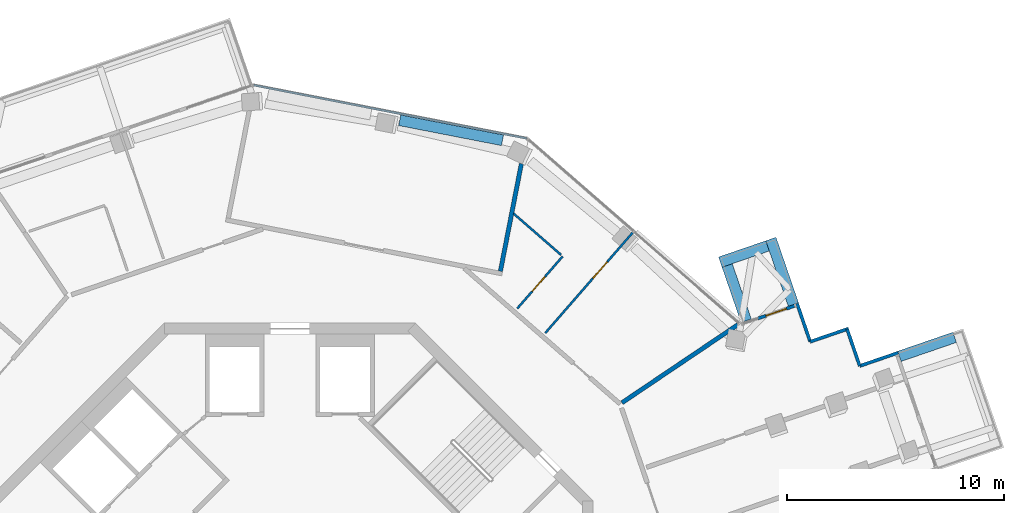
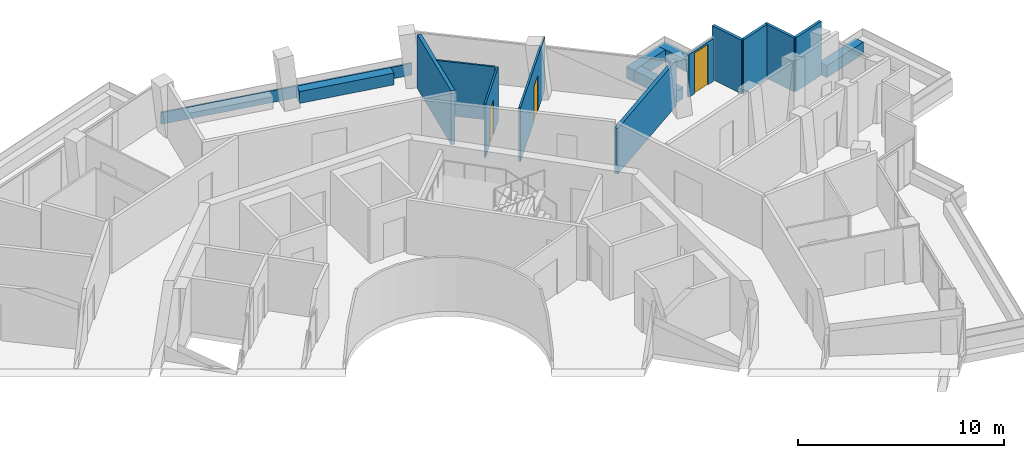
# One storey, part 19 of 22: 16 walls, 3 doors, 3 openings.
"""IFC4 building model written with IfcOpenShell, lengths in metres."""

from ifc_helpers import new_model, si_unit, direction, frame, frame_2d, origin, place, context, subcontext, project, spatial, rectangle, extrude, material, layer, layer_set, type_object, element, fill, save


model = new_model("IFC4")

# Units and contexts
model_context = context("Model", 3, precision=1e-05, world=origin(), true_north=direction((0.0, 1.0)))
body_context = subcontext(model_context, "Body", "Model", "MODEL_VIEW")
ifc_project = project(units=[si_unit("LENGTHUNIT", "METRE"), si_unit("AREAUNIT", "SQUARE_METRE"), si_unit("VOLUMEUNIT", "CUBIC_METRE"), si_unit("PLANEANGLEUNIT", "RADIAN"), si_unit("MASSUNIT", "GRAM", prefix="KILO")], contexts=[model_context])

# Site, building, storey
site_placement = place(None, origin())
site = spatial("IfcSite", under=ifc_project, at=site_placement, CompositionType="ELEMENT")
building_placement = place(site_placement, origin())
building = spatial("IfcBuilding", under=site, at=building_placement, Name="Verdalira Terraces Hotel", CompositionType="ELEMENT")
storey_placement = place(building_placement, frame((0.0, 0.0, 234.0)))
storey = spatial("IfcBuildingStorey", under=building, at=storey_placement, Name="L57", CompositionType="ELEMENT", Elevation=234.0)

# Walls
ifc_material_1 = material(Name="Concrete C40", Category="concrete")
ifc_layer_1 = layer(ifc_material_1, 0.5)
ifc_layer_set_1 = layer_set([ifc_layer_1], Name="Balcony planter trough with tree")
wall_type_1 = type_object("IfcWallType", Name="Balcony planter trough with tree", PredefinedType="SOLIDWALL", material=ifc_layer_set_1)
wall_1_placement = place(storey_placement, frame((30.693604, 13.34668, 0.0), z_axis=(0.0, 0.0, 1.0), x_axis=(-0.945739598, -0.324925551, 0.0)))
element("IfcWall", 1, at=wall_1_placement, inside=storey, type_object=wall_type_1, Name="Balcony planter", PredefinedType="SOLIDWALL", context=body_context, shape_type="SweptSolid", body=[
    extrude(rectangle(XDim=2.698975, YDim=0.5, at=frame_2d((1.349609, 0.0))), origin(), (0.0, 0.0, 1.0), 0.699951),
])
wall_2_placement = place(storey_placement, frame((23.247803, 14.860596, 0.0), z_axis=(0.0, 0.0, 1.0), x_axis=(-0.324892063, 0.945751102, 0.0)))
element("IfcWall", 2, at=wall_2_placement, inside=storey, type_object=wall_type_1, Name="Balcony planter", PredefinedType="SOLIDWALL", context=body_context, shape_type="SweptSolid", body=[
    extrude(rectangle(XDim=3.198975, YDim=0.5, at=frame_2d((1.599609, 0.0))), origin(), (0.0, 0.0, 1.0), 0.699951),
])
wall_3_placement = place(storey_placement, frame((22.053223, 17.568359, 0.0), z_axis=(0.0, 0.0, 1.0), x_axis=(-0.945764873, -0.324851975, 0.0)))
element("IfcWall", 3, at=wall_3_placement, inside=storey, type_object=wall_type_1, Name="Balcony planter", PredefinedType="SOLIDWALL", context=body_context, shape_type="SweptSolid", body=[
    extrude(rectangle(XDim=2.306396, YDim=0.5, at=frame_2d((1.15332, 0.0))), origin(), (0.0, 0.0, 1.0), 0.699951),
])
wall_4_placement = place(storey_placement, frame((20.189453, 16.663818, 0.0), z_axis=(0.0, 0.0, 1.0), x_axis=(0.324925551, -0.945739598, 0.0)))
element("IfcWall", 4, at=wall_4_placement, inside=storey, type_object=wall_type_1, Name="Balcony planter", PredefinedType="SOLIDWALL", context=body_context, shape_type="SweptSolid", body=[
    extrude(rectangle(XDim=2.698975, YDim=0.5, at=frame_2d((1.349609, 0.0))), origin(), (0.0, 0.0, 1.0), 0.699951),
])
ifc_material_2 = material(Name="Moisture-resistant gypsum board partition")
ifc_layer_2 = layer(ifc_material_2, 0.10009765625)
ifc_layer_set_2 = layer_set([ifc_layer_2], Name="Bathroom partition 100 mm")
wall_type_2 = type_object("IfcWallType", Name="Bathroom partition 100 mm", PredefinedType="PARTITIONING", material=ifc_layer_set_2)
wall_5_placement = place(storey_placement, frame((12.520752, 17.152588, 0.0), z_axis=(0.0, 0.0, 1.0), x_axis=(-0.754257045, 0.656579249, 0.0)))
element("IfcWall", 5, at=wall_5_placement, inside=storey, type_object=wall_type_2, Name="Bathroom partition", PredefinedType="PARTITIONING", context=body_context, shape_type="SweptSolid", body=[
    extrude(rectangle(XDim=2.911865, YDim=0.100098, at=frame_2d((1.456055, 0.0))), origin(), (0.0, 0.0, 1.0), 3.189941),
])

# Wall, opening, door
wall_6_placement = place(storey_placement, frame((10.495117, 14.67334, 0.0), z_axis=(0.0, 0.0, 1.0), x_axis=(0.656590394, 0.754247343, 0.0)))
wall_6 = element("IfcWall", 6, at=wall_6_placement, inside=storey, type_object=wall_type_2, Name="Bathroom partition", PredefinedType="PARTITIONING", context=body_context, shape_type="SweptSolid", body=[
    extrude(rectangle(XDim=3.199951, YDim=0.100098, at=frame_2d((1.600098, 0.0))), origin(), (0.0, 0.0, 1.0), 3.189941),
])
opening_1_placement = place(wall_6_placement, frame((1.050049, 0.0, 0.0)))
opening_1 = element("IfcOpeningElement", 7, at=opening_1_placement, cuts=wall_6, Name="Opening L57-129", PredefinedType="OPENING", context=body_context, shape_type="SweptSolid", body=[
    extrude(rectangle(XDim=0.899902, YDim=2.100098, at=frame_2d((0.449951, 1.050049))), frame((0.0, 0.060059, 0.0), z_axis=(0.0, -1.0, 0.0), x_axis=(1.0, 0.0, 0.0)), (0.0, 0.0, 1.0), 0.120117),
])
ifc_material_3 = material(Name="Timber door", Category="wood")
door_type_1 = type_object("IfcDoorType", Name="Bathroom door 900 x 2100", OperationType="NOTDEFINED", PredefinedType="DOOR", material=ifc_material_3)
door_1_placement = place(opening_1_placement, origin())
door_1 = element("IfcDoor", 8, at=door_1_placement, inside=storey, type_object=door_type_1, Name="Bathroom door 5710", OperationType="SINGLE_SWING_RIGHT", OverallHeight=2.10009765625, OverallWidth=0.89990234375, PredefinedType="DOOR", context=body_context, shape_type="SweptSolid", body=[
    extrude(rectangle(XDim=0.899902, YDim=2.100098, at=frame_2d((0.449951, 1.050049))), frame((0.0, 0.024902, 0.0), z_axis=(0.0, -1.0, 0.0), x_axis=(1.0, 0.0, 0.0)), (0.0, 0.0, 1.0), 0.050049),
])
fill(opening_1, door_1)

wall_7_placement = place(storey_placement, frame((11.79126, 13.545166, 0.0), z_axis=(0.0, 0.0, 1.0), x_axis=(0.656588475, 0.754249014, 0.0)))
wall_7 = element("IfcWall", 9, at=wall_7_placement, inside=storey, type_object=wall_type_2, Name="Bathroom partition", PredefinedType="PARTITIONING", context=body_context, shape_type="SweptSolid", body=[
    extrude(rectangle(XDim=6.149658, YDim=0.100098, at=frame_2d((3.074707, 0.0))), origin(), (0.0, 0.0, 1.0), 3.189941),
])
opening_2_placement = place(wall_7_placement, frame((3.350098, 0.0, 0.0)))
opening_2 = element("IfcOpeningElement", 10, at=opening_2_placement, cuts=wall_7, Name="Opening L57-128", PredefinedType="OPENING", context=body_context, shape_type="SweptSolid", body=[
    extrude(rectangle(XDim=1.0, YDim=2.100098, at=frame_2d((0.5, 1.050049))), frame((0.0, 0.060059, 0.0), z_axis=(0.0, -1.0, 0.0), x_axis=(1.0, 0.0, 0.0)), (0.0, 0.0, 1.0), 0.120117),
])
ifc_material_4 = material(Name="Timber door", Category="wood")
door_type_2 = type_object("IfcDoorType", Name="Suite internal door 1000 x 2100", OperationType="NOTDEFINED", PredefinedType="DOOR", material=ifc_material_4)
door_2_placement = place(opening_2_placement, origin())
door_2 = element("IfcDoor", 11, at=door_2_placement, inside=storey, type_object=door_type_2, Name="Suite internal door 5710", OperationType="SINGLE_SWING_LEFT", OverallHeight=2.10009765625, OverallWidth=1.0, PredefinedType="DOOR", context=body_context, shape_type="SweptSolid", body=[
    extrude(rectangle(XDim=1.0, YDim=2.100098, at=frame_2d((0.5, 1.050049))), frame((0.0, 0.024902, 0.0), z_axis=(0.0, -1.0, 0.0), x_axis=(1.0, 0.0, 0.0)), (0.0, 0.0, 1.0), 0.050049),
])
fill(opening_2, door_2)

# Walls
ifc_material_5 = material(Name="Fire-rated gypsum board wall")
ifc_layer_3 = layer(ifc_material_5, 0.199951171875)
ifc_layer_set_3 = layer_set([ifc_layer_3], Name="Demising wall 200 mm to beam soffit")
wall_type_3 = type_object("IfcWallType", Name="Demising wall 200 mm to beam soffit", PredefinedType="SOLIDWALL", material=ifc_layer_set_3)
wall_8_placement = place(storey_placement, frame((15.334717, 10.327881, 0.0), z_axis=(0.0, 0.0, 1.0), x_axis=(0.829425163, 0.558617847, 0.0)))
element("IfcWall", 12, at=wall_8_placement, inside=storey, type_object=wall_type_3, Name="Demising wall", PredefinedType="SOLIDWALL", context=body_context, shape_type="SweptSolid", body=[
    extrude(rectangle(XDim=6.475586, YDim=0.199951, at=frame_2d((3.237793, 0.0))), origin(), (0.0, 0.0, 1.0), 2.689941),
])
ifc_material_6 = material(Name="Terracotta cladding", Category="masonry")
ifc_layer_4 = layer(ifc_material_6, 0.199951171875)
ifc_layer_set_4 = layer_set([ifc_layer_4], Name="Loggia back wall 200")
wall_type_4 = type_object("IfcWallType", Name="Loggia back wall 200", PredefinedType="SOLIDWALL", material=ifc_layer_set_4)
wall_9_placement = place(storey_placement, frame((10.688232, 21.360596, 0.0), z_axis=(0.0, 0.0, 1.0), x_axis=(-0.191496739, -0.98149325, 0.0)))
element("IfcWall", 13, at=wall_9_placement, inside=storey, type_object=wall_type_4, Name="Loggia side wall", PredefinedType="SOLIDWALL", context=body_context, shape_type="SweptSolid", body=[
    extrude(rectangle(XDim=5.053711, YDim=0.199951, at=frame_2d((2.526855, 0.0))), origin(), (0.0, 0.0, 1.0), 3.189941),
])
ifc_material_7 = material(Name="Concrete C40", Category="concrete")
ifc_layer_5 = layer(ifc_material_7, 0.5)
ifc_layer_set_5 = layer_set([ifc_layer_5], Name="Loggia planter trough with tree")
wall_type_5 = type_object("IfcWallType", Name="Loggia planter trough with tree", PredefinedType="SOLIDWALL", material=ifc_layer_set_5)
wall_10_placement = place(storey_placement, frame((9.816162, 22.443848, 0.0), z_axis=(0.0, 0.0, 1.0), x_axis=(-0.981490129, 0.191512731, 0.0)))
element("IfcWall", 14, at=wall_10_placement, inside=storey, type_object=wall_type_5, Name="Loggia planter", PredefinedType="SOLIDWALL", context=body_context, shape_type="SweptSolid", body=[
    extrude(rectangle(XDim=4.83667, YDim=0.5, at=frame_2d((2.418457, 0.0))), origin(), (0.0, 0.0, 1.0), 0.699951),
])
ifc_material_8 = material(Name="Concrete C40", Category="concrete")
ifc_layer_6 = layer(ifc_material_8, 0.10009765625)
ifc_layer_set_6 = layer_set([ifc_layer_6], Name="Loggia upstand 100")
wall_type_6 = type_object("IfcWallType", Name="Loggia upstand 100", PredefinedType="SOLIDWALL", material=ifc_layer_set_6)
wall_11_placement = place(storey_placement, frame((10.937012, 22.531006, 0.0), z_axis=(0.0, 0.0, 1.0), x_axis=(-0.981494863, 0.191488469, 0.0)))
element("IfcWall", 15, at=wall_11_placement, inside=storey, type_object=wall_type_6, Name="Loggia upstand", PredefinedType="SOLIDWALL", context=body_context, shape_type="SweptSolid", body=[
    extrude(rectangle(XDim=12.840088, YDim=0.100098, at=frame_2d((6.419922, 0.0))), origin(), (0.0, 0.0, 1.0), 0.699951),
])
ifc_material_9 = material(Name="Terracotta cladding", Category="masonry")
ifc_layer_7 = layer(ifc_material_9, 0.14990234375)
ifc_layer_set_7 = layer_set([ifc_layer_7], Name="Terracotta clad wall 150")
wall_type_7 = type_object("IfcWallType", Name="Terracotta clad wall 150", PredefinedType="SOLIDWALL", material=ifc_layer_set_7)
wall_12_placement = place(storey_placement, frame((28.083252, 12.63501, 0.0), z_axis=(0.0, 0.0, 1.0), x_axis=(-0.945752881, -0.324886884, 0.0)))
element("IfcWall", 16, at=wall_12_placement, inside=storey, type_object=wall_type_7, Name="Terracotta cladding wall", PredefinedType="SOLIDWALL", context=body_context, shape_type="SweptSolid", body=[
    extrude(rectangle(XDim=1.875, YDim=0.149902, at=frame_2d((0.9375, 0.0))), origin(), (0.0, 0.0, 1.0), 3.189941),
])
wall_13_placement = place(storey_placement, frame((26.310059, 12.025879, 0.0), z_axis=(0.0, 0.0, 1.0), x_axis=(-0.325003949, 0.945712659, 0.0)))
element("IfcWall", 17, at=wall_13_placement, inside=storey, type_object=wall_type_7, Name="Terracotta cladding wall", PredefinedType="SOLIDWALL", context=body_context, shape_type="SweptSolid", body=[
    extrude(rectangle(XDim=1.799805, YDim=0.149902, at=frame_2d((0.899902, 0.0))), origin(), (0.0, 0.0, 1.0), 3.189941),
])
for number, where, z_axis, x_axis, name in (
    (18, (25.796143, 13.752441, 0.0), (0.0, 0.0, 1.0), (-0.945752881, -0.324886884, 0.0), "Terracotta cladding wall"),
    (19, (24.022949, 13.143311, 0.0), (0.0, 0.0, 1.0), (-0.325003347, 0.945712866, 0.0), "Terracotta cladding wall"),
):
    element("IfcWall", number, at=place(storey_placement, frame(where, z_axis=z_axis, x_axis=x_axis)), inside=storey, type_object=wall_type_7, Name=name, PredefinedType="SOLIDWALL", context=body_context, shape_type="SweptSolid", body=[
        extrude(rectangle(XDim=1.875, YDim=0.149902, at=frame_2d((0.9375, 0.0))), origin(), (0.0, 0.0, 1.0), 3.189941),
    ])

# Wall, opening, door
ifc_material_10 = material(Name="Terracotta cladding", Category="masonry")
ifc_layer_8 = layer(ifc_material_10, 0.14990234375)
ifc_layer_set_8 = layer_set([ifc_layer_8], Name="Terracotta door pier 150")
wall_type_8 = type_object("IfcWallType", Name="Terracotta door pier 150", PredefinedType="SOLIDWALL", material=ifc_layer_set_8)
wall_14_placement = place(storey_placement, frame((23.300781, 14.798584, 0.0), z_axis=(0.0, 0.0, 1.0), x_axis=(-0.945712659, -0.325003949, 0.0)))
wall_14 = element("IfcWall", 20, at=wall_14_placement, inside=storey, type_object=wall_type_8, Name="Terracotta door pier", PredefinedType="SOLIDWALL", context=body_context, shape_type="SweptSolid", body=[
    extrude(rectangle(XDim=1.799805, YDim=0.149902, at=frame_2d((0.899902, 0.0))), origin(), (0.0, 0.0, 1.0), 2.524902),
])
opening_3_placement = place(wall_14_placement, frame((0.399902, 0.0, 0.0)))
opening_3 = element("IfcOpeningElement", 21, at=opening_3_placement, cuts=wall_14, Name="Opening L57-B13", PredefinedType="OPENING", context=body_context, shape_type="SweptSolid", body=[
    extrude(rectangle(XDim=1.0, YDim=2.399902, at=frame_2d((0.5, 1.199951))), frame((0.0, 0.084961, 0.0), z_axis=(0.0, -1.0, 0.0), x_axis=(1.0, 0.0, 0.0)), (0.0, 0.0, 1.0), 0.169922),
])
ifc_material_11 = material(Name="Clear glass", Category="glass")
door_type_3 = type_object("IfcDoorType", Name="Balcony sliding door 1000x2400", OperationType="NOTDEFINED", PredefinedType="DOOR", material=ifc_material_11)
door_3_placement = place(opening_3_placement, origin())
door_3 = element("IfcDoor", 22, at=door_3_placement, inside=storey, type_object=door_type_3, Name="Balcony sliding door", OperationType="SLIDING_TO_LEFT", OverallHeight=2.39990234375, OverallWidth=1.0, PredefinedType="DOOR", context=body_context, shape_type="SweptSolid", body=[
    extrude(rectangle(XDim=1.0, YDim=2.399902, at=frame_2d((0.5, 1.199951))), frame((0.0, 0.024902, 0.0), z_axis=(0.0, -1.0, 0.0), x_axis=(1.0, 0.0, 0.0)), (0.0, 0.0, 1.0), 0.050049),
])
fill(opening_3, door_3)

save(model, "model.ifc")
